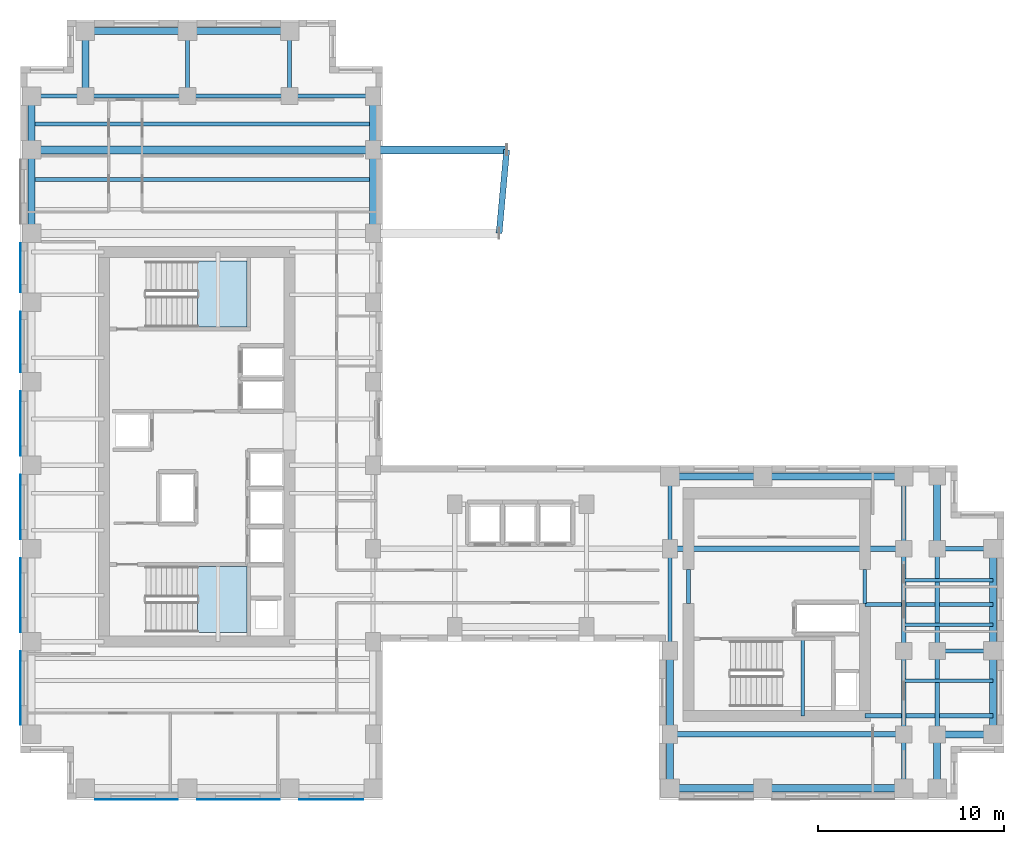
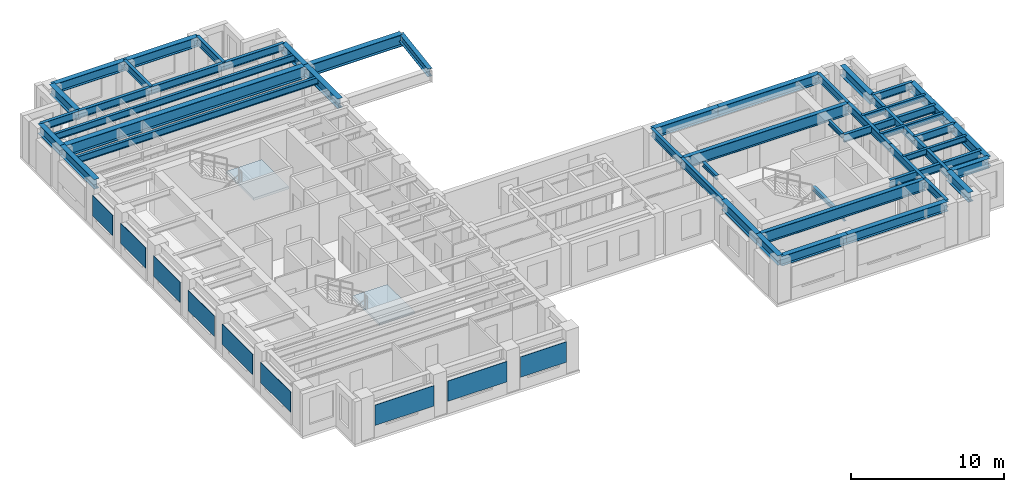
# One storey, part 3 of 14: 49 beams, 9 plates, 2 slabs, 2 elements without a shape of their own.
"""IFC4 building model written with IfcOpenShell, lengths in metres."""

from ifc_helpers import new_model, si_unit, direction, frame, origin, origin_2d, place, context, subcontext, project, spatial, polyline, rectangle, i_section, outline, extrude, source, transform, mapped, material, layer, layer_set, material_profile, profile_set, type_object, element, aggregate, save


model = new_model("IFC4")

# Units and contexts
model_context = context("Model", 3, precision=1e-05, world=origin(), true_north=direction((0.0, 1.0)))
body_context = subcontext(model_context, "Body", "Model", "MODEL_VIEW")
ifc_project = project(units=[si_unit("LENGTHUNIT", "METRE"), si_unit("AREAUNIT", "SQUARE_METRE"), si_unit("VOLUMEUNIT", "CUBIC_METRE"), si_unit("PLANEANGLEUNIT", "RADIAN"), si_unit("MASSUNIT", "GRAM", prefix="KILO")], contexts=[model_context])

# Site, building, storey
site_placement = place(None, origin())
site = spatial("IfcSite", under=ifc_project, at=site_placement, CompositionType="ELEMENT")
building_placement = place(site_placement, origin())
building = spatial("IfcBuilding", under=site, at=building_placement, Name="Kharzan Plaza Tower", CompositionType="ELEMENT")
storey_placement = place(building_placement, frame((0.0, 0.0, 168.300048828125)))
storey = spatial("IfcBuildingStorey", under=building, at=storey_placement, Name="L45", CompositionType="ELEMENT", Elevation=168.300048828125)

# Beams
ifc_material_1 = material(Name="Steel S355", Category="steel")
ifc_material_profile_1 = material_profile(ifc_material_1, i_section(OverallWidth=0.205078125, OverallDepth=0.35400390625, WebThickness=0.009521484375, FlangeThickness=0.016845703125, at=origin_2d()), Name="W360x79")
ifc_profile_set_1 = profile_set([ifc_material_profile_1], Name="Steel S355")
beam_type_1 = type_object("IfcBeamType", Name="BM-LNT360", PredefinedType="LINTEL", material=ifc_profile_set_1)
shared_shape_1 = source(origin(), body_context, "Body", "SweptSolid", [
    extrude(i_section(OverallWidth=0.205078125, OverallDepth=0.35400390625, WebThickness=0.009521484375, FlangeThickness=0.016845703125, at=origin_2d()), origin(), (0.0, 0.0, 1.0), 1.849853515625),
])
for number, where, z_axis, x_axis, name in (
    (1, (45.5, 10.550048828125, 3.222900390625), (0.0, 1.0, 0.0), (-1.0, 0.0, 0.0), "L45 CORE-B coupling lintel LN1-WE"),
    (2, (36.0, 10.550048828125, 3.222900390625), (0.0, 1.0, 0.0), (-1.0, 0.0, 0.0), "L45 CORE-B coupling lintel LN1-WW"),
):
    element("IfcBeam", number, at=place(storey_placement, frame(where, z_axis=z_axis, x_axis=x_axis)), inside=storey, type_object=beam_type_1, Name=name, PredefinedType="LINTEL", context=body_context, shape_type="MappedRepresentation", body=[
        mapped(shared_shape_1, transform((0.0, 0.0, 0.0), x_axis=(1.0, 0.0, 0.0), y_axis=(0.0, 1.0, 0.0), z_axis=(0.0, 0.0, 1.0))),
    ])
shared_shape_2 = source(origin(), body_context, "Body", "SweptSolid", [
    extrude(i_section(OverallWidth=0.205078125, OverallDepth=0.35400390625, WebThickness=0.009521484375, FlangeThickness=0.016845703125, at=origin_2d()), origin(), (0.0, 0.0, 1.0), 4.155029296875),
])
beam_1_placement = place(storey_placement, frame((42.14990234375, 4.5, 1.4228515625), z_axis=(0.0, 1.0, 0.0), x_axis=(-1.0, 0.0, 0.0)))
element("IfcBeam", 3, at=beam_1_placement, inside=storey, type_object=beam_type_1, Name="L45 Stair ST-3 Half-Landing Beam", PredefinedType="LINTEL", context=body_context, shape_type="MappedRepresentation", body=[
    mapped(shared_shape_2, transform((0.0, 0.0, 0.0), x_axis=(1.0, 0.0, 0.0), y_axis=(0.0, 1.0, 0.0), z_axis=(0.0, 0.0, 1.0))),
])
ifc_material_profile_2 = material_profile(ifc_material_1, i_section(OverallWidth=0.304931640625, OverallDepth=0.9189453125, WebThickness=0.017333984375, FlangeThickness=0.02783203125, at=origin_2d()), Name="W920x253")
ifc_profile_set_2 = profile_set([ifc_material_profile_2], Name="Steel S355")
beam_type_2 = type_object("IfcBeamType", Name="BM-FG920B", PredefinedType="BEAM", material=ifc_profile_set_2)
shared_shape_3 = source(origin(), body_context, "Body", "SweptSolid", [
    extrude(i_section(OverallWidth=0.304931640625, OverallDepth=0.9189453125, WebThickness=0.017333984375, FlangeThickness=0.02783203125, at=origin_2d()), origin(), (0.0, 0.0, 1.0), 12.60009765625),
])
for number, where, z_axis, x_axis, name in (
    (4, (35.0, 3.5, 2.9404296875), (1.0, 0.0, 0.0), (0.0, 1.0, 0.0), "L45 Primary Floor Girder"),
    (5, (35.0, 13.5, 2.9404296875), (1.0, 0.0, 0.0), (0.0, 1.0, 0.0), "L45 Primary Floor Girder"),
):
    element("IfcBeam", number, at=place(storey_placement, frame(where, z_axis=z_axis, x_axis=x_axis)), inside=storey, type_object=beam_type_2, Name=name, PredefinedType="BEAM", context=body_context, shape_type="MappedRepresentation", body=[
        mapped(shared_shape_3, transform((0.0, 0.0, 0.0), x_axis=(1.0, 0.0, 0.0), y_axis=(0.0, 1.0, 0.0), z_axis=(0.0, 0.0, 1.0))),
    ])
ifc_material_profile_3 = material_profile(ifc_material_1, i_section(OverallWidth=0.2099609375, OverallDepth=0.537109375, WebThickness=0.010986328125, FlangeThickness=0.017333984375, at=origin_2d()), Name="W530x101")
ifc_profile_set_3 = profile_set([ifc_material_profile_3], Name="Steel S355")
beam_type_3 = type_object("IfcBeamType", Name="BM-JST530B", PredefinedType="JOIST", material=ifc_profile_set_3)
shared_shape_4 = source(origin(), body_context, "Body", "SweptSolid", [
    extrude(i_section(OverallWidth=0.2099609375, OverallDepth=0.537109375, WebThickness=0.010986328125, FlangeThickness=0.017333984375, at=origin_2d()), origin(), (0.0, 0.0, 1.0), 18.39990234375),
])
for number, where, z_axis, x_axis, name in (
    (6, (0.60009765625, 33.39990234375, 3.13134765625), (1.0, 0.0, 0.0), (0.0, 1.0, 0.0), "L45 Wing A Composite Joist 05"),
    (7, (0.60009765625, 36.39990234375, 3.13134765625), (1.0, 0.0, 0.0), (0.0, 1.0, 0.0), "L45 Wing A Composite Joist 06"),
):
    element("IfcBeam", number, at=place(storey_placement, frame(where, z_axis=z_axis, x_axis=x_axis)), inside=storey, type_object=beam_type_3, Name=name, PredefinedType="JOIST", context=body_context, shape_type="MappedRepresentation", body=[
        mapped(shared_shape_4, transform((0.0, 0.0, 0.0), x_axis=(1.0, 0.0, 0.0), y_axis=(0.0, 1.0, 0.0), z_axis=(0.0, 0.0, 1.0))),
    ])
ifc_material_profile_4 = material_profile(ifc_material_1, i_section(OverallWidth=0.41796875, OverallDepth=0.93701171875, WebThickness=0.019287109375, FlangeThickness=0.031982421875, at=origin_2d()), Name="W920x342")
ifc_profile_set_4 = profile_set([ifc_material_profile_4], Name="Steel S355")
beam_type_4 = type_object("IfcBeamType", Name="BM-ZTB920", PredefinedType="BEAM", material=ifc_profile_set_4)
shared_shape_5 = source(origin(), body_context, "Body", "SweptSolid", [
    extrude(i_section(OverallWidth=0.41796875, OverallDepth=0.93701171875, WebThickness=0.019287109375, FlangeThickness=0.031982421875, at=origin_2d()), origin(), (0.0, 0.0, 1.0), 18.39990234375),
])
beam_2_placement = place(storey_placement, frame((0.60009765625, 35.0, 2.931396484375), z_axis=(1.0, 0.0, 0.0), x_axis=(0.0, 1.0, 0.0)))
element("IfcBeam", 8, at=beam_2_placement, inside=storey, type_object=beam_type_4, Name="L45 Sky-Terrace Back-Span Girder ZTB1 (L46 G2)", PredefinedType="BEAM", context=body_context, shape_type="MappedRepresentation", body=[
    mapped(shared_shape_5, transform((0.0, 0.0, 0.0), x_axis=(1.0, 0.0, 0.0), y_axis=(0.0, 1.0, 0.0), z_axis=(0.0, 0.0, 1.0))),
])
ifc_material_profile_5 = material_profile(ifc_material_1, i_section(OverallWidth=0.41796875, OverallDepth=0.93701171875, WebThickness=0.019287109375, FlangeThickness=0.031982421875, at=origin_2d()), Name="W920x342")
ifc_profile_set_5 = profile_set([ifc_material_profile_5], Name="Steel S355")
beam_type_5 = type_object("IfcBeamType", Name="BM-ZTG920", PredefinedType="BEAM", material=ifc_profile_set_5)
shared_shape_6 = source(origin(), body_context, "Body", "SweptSolid", [
    extrude(i_section(OverallWidth=0.41796875, OverallDepth=0.93701171875, WebThickness=0.019287109375, FlangeThickness=0.031982421875, at=origin_2d()), origin(), (0.0, 0.0, 1.0), 7.199951171875),
])
beam_3_placement = place(storey_placement, frame((19.0, 35.0, 2.91650390625), z_axis=(1.0, 0.0, 0.0), x_axis=(0.0, 1.0, 0.0)))
element("IfcBeam", 9, at=beam_3_placement, inside=storey, type_object=beam_type_5, Name="L45 Sky-Terrace Cantilever Girder ZTG1 (L46 G2)", PredefinedType="BEAM", context=body_context, shape_type="MappedRepresentation", body=[
    mapped(shared_shape_6, transform((0.0, 0.0, 0.0), x_axis=(1.0, 0.0, 0.0), y_axis=(0.0, 1.0, 0.0), z_axis=(0.0, 0.0, 1.0))),
])
ifc_material_profile_6 = material_profile(ifc_material_1, i_section(OverallWidth=0.324951171875, OverallDepth=0.615966796875, WebThickness=0.013916015625, FlangeThickness=0.021484375, at=origin_2d()), Name="W610x174")
ifc_profile_set_6 = profile_set([ifc_material_profile_6], Name="Steel S355")
beam_type_6 = type_object("IfcBeamType", Name="BM-ZTT610", PredefinedType="BEAM", material=ifc_profile_set_6)
shared_shape_7 = source(origin(), body_context, "Body", "SweptSolid", [
    extrude(i_section(OverallWidth=0.324951171875, OverallDepth=0.615966796875, WebThickness=0.013916015625, FlangeThickness=0.021484375, at=origin_2d()), origin(), (0.0, 0.0, 1.0), 4.5185546875),
])
beam_4_placement = place(storey_placement, frame((25.7900390625, 30.5, 3.076904296875), z_axis=(0.09071599143, 0.995876804077, 0.0), x_axis=(-0.995876804077, 0.09071599143, 0.0)))
element("IfcBeam", 10, at=beam_4_placement, inside=storey, type_object=beam_type_6, Name="L45 Sky-Terrace Edge Trimmer Beam ZTT1 (L46)", PredefinedType="BEAM", context=body_context, shape_type="MappedRepresentation", body=[
    mapped(shared_shape_7, transform((0.0, 0.0, 0.0), x_axis=(1.0, 0.0, 0.0), y_axis=(0.0, 1.0, 0.0), z_axis=(0.0, 0.0, 1.0))),
])
ifc_material_profile_7 = material_profile(ifc_material_1, i_section(OverallWidth=0.22900390625, OverallDepth=0.612060546875, WebThickness=0.011962890625, FlangeThickness=0.01953125, at=origin_2d()), Name="W610x125")
ifc_profile_set_7 = profile_set([ifc_material_profile_7], Name="Steel S355")
beam_type_7 = type_object("IfcBeamType", Name="BM-FG610B", PredefinedType="BEAM", material=ifc_profile_set_7)
shared_shape_8 = source(origin(), body_context, "Body", "SweptSolid", [
    extrude(i_section(OverallWidth=0.22900390625, OverallDepth=0.612060546875, WebThickness=0.011962890625, FlangeThickness=0.01953125, at=origin_2d()), origin(), (0.0, 0.0, 1.0), 4.5),
])
for number, where, z_axis, x_axis, name in (
    (11, (47.60009765625, 3.5, 3.093994140625), (0.0, 1.0, 0.0), (-1.0, 0.0, 0.0), "L45 Interior Frame Girder"),
    (12, (49.39990234375, 3.5, 3.093994140625), (0.0, 1.0, 0.0), (-1.0, 0.0, 0.0), "L45 Interior Frame Girder"),
    (13, (14.5, 37.89990234375, 3.093994140625), (1.0, 0.0, 0.0), (0.0, 1.0, 0.0), "L45 Primary Floor Girder"),
):
    element("IfcBeam", number, at=place(storey_placement, frame(where, z_axis=z_axis, x_axis=x_axis)), inside=storey, type_object=beam_type_7, Name=name, PredefinedType="BEAM", context=body_context, shape_type="MappedRepresentation", body=[
        mapped(shared_shape_8, transform((0.0, 0.0, 0.0), x_axis=(1.0, 0.0, 0.0), y_axis=(0.0, 1.0, 0.0), z_axis=(0.0, 0.0, 1.0))),
    ])
shared_shape_9 = source(origin(), body_context, "Body", "SweptSolid", [
    extrude(i_section(OverallWidth=0.22900390625, OverallDepth=0.612060546875, WebThickness=0.011962890625, FlangeThickness=0.01953125, at=origin_2d()), origin(), (0.0, 0.0, 1.0), 3.89990234375),
])
for number, where, z_axis, x_axis, name in (
    (14, (35.0, 13.5, 3.093994140625), (0.0, 1.0, 0.0), (-1.0, 0.0, 0.0), "L45 Interior Frame Girder"),
    (15, (47.60009765625, 13.5, 3.093994140625), (0.0, 1.0, 0.0), (-1.0, 0.0, 0.0), "L45 Interior Frame Girder"),
):
    element("IfcBeam", number, at=place(storey_placement, frame(where, z_axis=z_axis, x_axis=x_axis)), inside=storey, type_object=beam_type_7, Name=name, PredefinedType="BEAM", context=body_context, shape_type="MappedRepresentation", body=[
        mapped(shared_shape_9, transform((0.0, 0.0, 0.0), x_axis=(1.0, 0.0, 0.0), y_axis=(0.0, 1.0, 0.0), z_axis=(0.0, 0.0, 1.0))),
    ])
shared_shape_10 = source(origin(), body_context, "Body", "SweptSolid", [
    extrude(i_section(OverallWidth=0.22900390625, OverallDepth=0.612060546875, WebThickness=0.011962890625, FlangeThickness=0.01953125, at=origin_2d()), origin(), (0.0, 0.0, 1.0), 6.89990234375),
])
for number, where, z_axis, x_axis, name in (
    (16, (45.5, 4.5, 3.093994140625), (1.0, 0.0, 0.0), (0.0, 1.0, 0.0), "L45 Core-B East Floor Girder 1"),
    (17, (45.5, 10.5, 3.093994140625), (1.0, 0.0, 0.0), (0.0, 1.0, 0.0), "L45 Core-B East Floor Girder 2"),
):
    element("IfcBeam", number, at=place(storey_placement, frame(where, z_axis=z_axis, x_axis=x_axis)), inside=storey, type_object=beam_type_7, Name=name, PredefinedType="BEAM", context=body_context, shape_type="MappedRepresentation", body=[
        mapped(shared_shape_10, transform((0.0, 0.0, 0.0), x_axis=(1.0, 0.0, 0.0), y_axis=(0.0, 1.0, 0.0), z_axis=(0.0, 0.0, 1.0))),
    ])
shared_shape_11 = source(origin(), body_context, "Body", "SweptSolid", [
    extrude(i_section(OverallWidth=0.22900390625, OverallDepth=0.612060546875, WebThickness=0.011962890625, FlangeThickness=0.01953125, at=origin_2d()), origin(), (0.0, 0.0, 1.0), 3.5),
])
for number, where, z_axis, x_axis, name in (
    (18, (9.0, 37.89990234375, 3.093994140625), (0.0, 1.0, 0.0), (-1.0, 0.0, 0.0), "L45 Interior Frame Girder"),
    (19, (14.5, 37.89990234375, 3.093994140625), (0.0, 1.0, 0.0), (-1.0, 0.0, 0.0), "L45 Interior Frame Girder"),
):
    element("IfcBeam", number, at=place(storey_placement, frame(where, z_axis=z_axis, x_axis=x_axis)), inside=storey, type_object=beam_type_7, Name=name, PredefinedType="BEAM", context=body_context, shape_type="MappedRepresentation", body=[
        mapped(shared_shape_11, transform((0.0, 0.0, 0.0), x_axis=(1.0, 0.0, 0.0), y_axis=(0.0, 1.0, 0.0), z_axis=(0.0, 0.0, 1.0))),
    ])
shared_shape_12 = source(origin(), body_context, "Body", "SweptSolid", [
    extrude(i_section(OverallWidth=0.22900390625, OverallDepth=0.612060546875, WebThickness=0.011962890625, FlangeThickness=0.01953125, at=origin_2d()), origin(), (0.0, 0.0, 1.0), 5.5),
])
for number, where, z_axis, x_axis, name in (
    (20, (35.0, 8.0, 3.093994140625), (0.0, 1.0, 0.0), (-1.0, 0.0, 0.0), "L45 Interior Frame Girder"),
    (21, (47.60009765625, 8.0, 3.093994140625), (0.0, 1.0, 0.0), (-1.0, 0.0, 0.0), "L45 Interior Frame Girder"),
    (22, (49.39990234375, 8.0, 3.093994140625), (0.0, 1.0, 0.0), (-1.0, 0.0, 0.0), "L45 Interior Frame Girder"),
    (23, (3.5, 37.89990234375, 3.093994140625), (1.0, 0.0, 0.0), (0.0, 1.0, 0.0), "L45 Primary Floor Girder"),
    (24, (9.0, 37.89990234375, 3.093994140625), (1.0, 0.0, 0.0), (0.0, 1.0, 0.0), "L45 Primary Floor Girder"),
):
    element("IfcBeam", number, at=place(storey_placement, frame(where, z_axis=z_axis, x_axis=x_axis)), inside=storey, type_object=beam_type_7, Name=name, PredefinedType="BEAM", context=body_context, shape_type="MappedRepresentation", body=[
        mapped(shared_shape_12, transform((0.0, 0.0, 0.0), x_axis=(1.0, 0.0, 0.0), y_axis=(0.0, 1.0, 0.0), z_axis=(0.0, 0.0, 1.0))),
    ])
shared_shape_13 = source(origin(), body_context, "Body", "SweptSolid", [
    extrude(i_section(OverallWidth=0.22900390625, OverallDepth=0.612060546875, WebThickness=0.011962890625, FlangeThickness=0.01953125, at=origin_2d()), origin(), (0.0, 0.0, 1.0), 2.89990234375),
])
for number, where, z_axis, x_axis, name in (
    (25, (47.60009765625, 0.60009765625, 3.093994140625), (0.0, 1.0, 0.0), (-1.0, 0.0, 0.0), "L45 Interior Frame Girder"),
    (26, (0.60009765625, 37.89990234375, 3.093994140625), (1.0, 0.0, 0.0), (0.0, 1.0, 0.0), "L45 Primary Floor Girder"),
):
    element("IfcBeam", number, at=place(storey_placement, frame(where, z_axis=z_axis, x_axis=x_axis)), inside=storey, type_object=beam_type_7, Name=name, PredefinedType="BEAM", context=body_context, shape_type="MappedRepresentation", body=[
        mapped(shared_shape_13, transform((0.0, 0.0, 0.0), x_axis=(1.0, 0.0, 0.0), y_axis=(0.0, 1.0, 0.0), z_axis=(0.0, 0.0, 1.0))),
    ])
shared_shape_14 = source(origin(), body_context, "Body", "SweptSolid", [
    extrude(i_section(OverallWidth=0.22900390625, OverallDepth=0.612060546875, WebThickness=0.011962890625, FlangeThickness=0.01953125, at=origin_2d()), origin(), (0.0, 0.0, 1.0), 3.0),
])
for number, where, z_axis, x_axis, name in (
    (27, (49.39990234375, 8.0, 3.093994140625), (1.0, 0.0, 0.0), (0.0, 1.0, 0.0), "L45 Primary Floor Girder"),
    (28, (49.39990234375, 13.5, 3.093994140625), (1.0, 0.0, 0.0), (0.0, 1.0, 0.0), "L45 Primary Floor Girder"),
):
    element("IfcBeam", number, at=place(storey_placement, frame(where, z_axis=z_axis, x_axis=x_axis)), inside=storey, type_object=beam_type_7, Name=name, PredefinedType="BEAM", context=body_context, shape_type="MappedRepresentation", body=[
        mapped(shared_shape_14, transform((0.0, 0.0, 0.0), x_axis=(1.0, 0.0, 0.0), y_axis=(0.0, 1.0, 0.0), z_axis=(0.0, 0.0, 1.0))),
    ])
ifc_material_profile_8 = material_profile(ifc_material_1, i_section(OverallWidth=0.194091796875, OverallDepth=0.468994140625, WebThickness=0.011474609375, FlangeThickness=0.0205078125, at=origin_2d()), Name="W460x106")
ifc_profile_set_8 = profile_set([ifc_material_profile_8], Name="Steel S355")
beam_type_8 = type_object("IfcBeamType", Name="BM-JST460", PredefinedType="JOIST", material=ifc_profile_set_8)
shared_shape_15 = source(origin(), body_context, "Body", "SweptSolid", [
    extrude(i_section(OverallWidth=0.194091796875, OverallDepth=0.468994140625, WebThickness=0.011474609375, FlangeThickness=0.0205078125, at=origin_2d()), origin(), (0.0, 0.0, 1.0), 4.7998046875),
])
for number, where, z_axis, x_axis, name in (
    (29, (47.60009765625, 6.39990234375, 3.16552734375), (1.0, 0.0, 0.0), (0.0, 1.0, 0.0), "L45 Wing B Composite Joist 02"),
    (30, (47.60009765625, 9.39990234375, 3.16552734375), (1.0, 0.0, 0.0), (0.0, 1.0, 0.0), "L45 Wing B Composite Joist 03"),
    (31, (47.60009765625, 11.800048828125, 3.16552734375), (1.0, 0.0, 0.0), (0.0, 1.0, 0.0), "L45 Wing B Composite Joist 04"),
):
    element("IfcBeam", number, at=place(storey_placement, frame(where, z_axis=z_axis, x_axis=x_axis)), inside=storey, type_object=beam_type_8, Name=name, PredefinedType="JOIST", context=body_context, shape_type="MappedRepresentation", body=[
        mapped(shared_shape_15, transform((0.0, 0.0, 0.0), x_axis=(1.0, 0.0, 0.0), y_axis=(0.0, 1.0, 0.0), z_axis=(0.0, 0.0, 1.0))),
    ])
ifc_material_profile_9 = material_profile(ifc_material_1, i_section(OverallWidth=0.381103515625, OverallDepth=0.77294921875, WebThickness=0.0166015625, FlangeThickness=0.027587890625, at=origin_2d()), Name="W760x257")
ifc_profile_set_9 = profile_set([ifc_material_profile_9], Name="Steel S355")
beam_type_9 = type_object("IfcBeamType", Name="BM-SP760A", PredefinedType="SPANDREL", material=ifc_profile_set_9)
shared_shape_16 = source(origin(), body_context, "Body", "SweptSolid", [
    extrude(i_section(OverallWidth=0.381103515625, OverallDepth=0.77294921875, WebThickness=0.0166015625, FlangeThickness=0.027587890625, at=origin_2d()), origin(), (0.0, 0.0, 1.0), 5.0),
])
for number, where, z_axis, x_axis, name in (
    (32, (35.0, 0.60009765625, 3.013427734375), (1.0, 0.0, 0.0), (0.0, 1.0, 0.0), "L45 Perimeter Tube Spandrel"),
    (33, (35.0, 17.39990234375, 3.013427734375), (1.0, 0.0, 0.0), (0.0, 1.0, 0.0), "L45 Perimeter Tube Spandrel"),
):
    element("IfcBeam", number, at=place(storey_placement, frame(where, z_axis=z_axis, x_axis=x_axis)), inside=storey, type_object=beam_type_9, Name=name, PredefinedType="SPANDREL", context=body_context, shape_type="MappedRepresentation", body=[
        mapped(shared_shape_16, transform((0.0, 0.0, 0.0), x_axis=(1.0, 0.0, 0.0), y_axis=(0.0, 1.0, 0.0), z_axis=(0.0, 0.0, 1.0))),
    ])
shared_shape_17 = source(origin(), body_context, "Body", "SweptSolid", [
    extrude(i_section(OverallWidth=0.381103515625, OverallDepth=0.77294921875, WebThickness=0.0166015625, FlangeThickness=0.027587890625, at=origin_2d()), origin(), (0.0, 0.0, 1.0), 4.5),
])
for number, where, z_axis, x_axis, name in (
    (34, (0.60009765625, 30.5, 3.013427734375), (0.0, 1.0, 0.0), (-1.0, 0.0, 0.0), "L45 Perimeter Tube Spandrel"),
    (35, (19.0, 30.5, 3.013427734375), (0.0, 1.0, 0.0), (-1.0, 0.0, 0.0), "L45 Perimeter Tube Spandrel"),
    (36, (35.0, 3.5, 3.013427734375), (0.0, 1.0, 0.0), (-1.0, 0.0, 0.0), "L45 Perimeter Tube Spandrel"),
    (37, (52.39990234375, 3.5, 3.013427734375), (0.0, 1.0, 0.0), (-1.0, 0.0, 0.0), "L45 Perimeter Tube Spandrel"),
):
    element("IfcBeam", number, at=place(storey_placement, frame(where, z_axis=z_axis, x_axis=x_axis)), inside=storey, type_object=beam_type_9, Name=name, PredefinedType="SPANDREL", context=body_context, shape_type="MappedRepresentation", body=[
        mapped(shared_shape_17, transform((0.0, 0.0, 0.0), x_axis=(1.0, 0.0, 0.0), y_axis=(0.0, 1.0, 0.0), z_axis=(0.0, 0.0, 1.0))),
    ])
shared_shape_18 = source(origin(), body_context, "Body", "SweptSolid", [
    extrude(i_section(OverallWidth=0.381103515625, OverallDepth=0.77294921875, WebThickness=0.0166015625, FlangeThickness=0.027587890625, at=origin_2d()), origin(), (0.0, 0.0, 1.0), 2.89990234375),
])
for number, where, z_axis, x_axis, name in (
    (38, (0.60009765625, 35.0, 3.013427734375), (0.0, 1.0, 0.0), (-1.0, 0.0, 0.0), "L45 Perimeter Tube Spandrel"),
    (39, (19.0, 35.0, 3.013427734375), (0.0, 1.0, 0.0), (-1.0, 0.0, 0.0), "L45 Perimeter Tube Spandrel"),
    (40, (35.0, 0.60009765625, 3.013427734375), (0.0, 1.0, 0.0), (-1.0, 0.0, 0.0), "L45 Perimeter Tube Spandrel"),
    (41, (49.39990234375, 0.60009765625, 3.013427734375), (0.0, 1.0, 0.0), (-1.0, 0.0, 0.0), "L45 Perimeter Tube Spandrel"),
):
    element("IfcBeam", number, at=place(storey_placement, frame(where, z_axis=z_axis, x_axis=x_axis)), inside=storey, type_object=beam_type_9, Name=name, PredefinedType="SPANDREL", context=body_context, shape_type="MappedRepresentation", body=[
        mapped(shared_shape_18, transform((0.0, 0.0, 0.0), x_axis=(1.0, 0.0, 0.0), y_axis=(0.0, 1.0, 0.0), z_axis=(0.0, 0.0, 1.0))),
    ])
shared_shape_19 = source(origin(), body_context, "Body", "SweptSolid", [
    extrude(i_section(OverallWidth=0.381103515625, OverallDepth=0.77294921875, WebThickness=0.0166015625, FlangeThickness=0.027587890625, at=origin_2d()), origin(), (0.0, 0.0, 1.0), 3.5),
])
beam_5_placement = place(storey_placement, frame((3.5, 37.89990234375, 3.013427734375), z_axis=(0.0, 1.0, 0.0), x_axis=(-1.0, 0.0, 0.0)))
element("IfcBeam", 42, at=beam_5_placement, inside=storey, type_object=beam_type_9, Name="L45 Perimeter Tube Spandrel", PredefinedType="SPANDREL", context=body_context, shape_type="MappedRepresentation", body=[
    mapped(shared_shape_19, transform((0.0, 0.0, 0.0), x_axis=(1.0, 0.0, 0.0), y_axis=(0.0, 1.0, 0.0), z_axis=(0.0, 0.0, 1.0))),
])
shared_shape_20 = source(origin(), body_context, "Body", "SweptSolid", [
    extrude(i_section(OverallWidth=0.381103515625, OverallDepth=0.77294921875, WebThickness=0.0166015625, FlangeThickness=0.027587890625, at=origin_2d()), origin(), (0.0, 0.0, 1.0), 3.89990234375),
])
beam_6_placement = place(storey_placement, frame((49.39990234375, 13.5, 3.013427734375), z_axis=(0.0, 1.0, 0.0), x_axis=(-1.0, 0.0, 0.0)))
element("IfcBeam", 43, at=beam_6_placement, inside=storey, type_object=beam_type_9, Name="L45 Perimeter Tube Spandrel", PredefinedType="SPANDREL", context=body_context, shape_type="MappedRepresentation", body=[
    mapped(shared_shape_20, transform((0.0, 0.0, 0.0), x_axis=(1.0, 0.0, 0.0), y_axis=(0.0, 1.0, 0.0), z_axis=(0.0, 0.0, 1.0))),
])
shared_shape_21 = source(origin(), body_context, "Body", "SweptSolid", [
    extrude(i_section(OverallWidth=0.381103515625, OverallDepth=0.77294921875, WebThickness=0.0166015625, FlangeThickness=0.027587890625, at=origin_2d()), origin(), (0.0, 0.0, 1.0), 5.5),
])
for number, where, z_axis, x_axis, name in (
    (44, (52.39990234375, 8.0, 3.013427734375), (0.0, 1.0, 0.0), (-1.0, 0.0, 0.0), "L45 Perimeter Tube Spandrel"),
    (45, (3.5, 41.39990234375, 3.013427734375), (1.0, 0.0, 0.0), (0.0, 1.0, 0.0), "L45 Perimeter Tube Spandrel"),
    (46, (9.0, 41.39990234375, 3.013427734375), (1.0, 0.0, 0.0), (0.0, 1.0, 0.0), "L45 Perimeter Tube Spandrel"),
):
    element("IfcBeam", number, at=place(storey_placement, frame(where, z_axis=z_axis, x_axis=x_axis)), inside=storey, type_object=beam_type_9, Name=name, PredefinedType="SPANDREL", context=body_context, shape_type="MappedRepresentation", body=[
        mapped(shared_shape_21, transform((0.0, 0.0, 0.0), x_axis=(1.0, 0.0, 0.0), y_axis=(0.0, 1.0, 0.0), z_axis=(0.0, 0.0, 1.0))),
    ])
shared_shape_22 = source(origin(), body_context, "Body", "SweptSolid", [
    extrude(i_section(OverallWidth=0.381103515625, OverallDepth=0.77294921875, WebThickness=0.0166015625, FlangeThickness=0.027587890625, at=origin_2d()), origin(), (0.0, 0.0, 1.0), 7.60009765625),
])
for number, where, z_axis, x_axis, name in (
    (47, (40.0, 0.60009765625, 3.013427734375), (1.0, 0.0, 0.0), (0.0, 1.0, 0.0), "L45 Perimeter Tube Spandrel"),
    (48, (40.0, 17.39990234375, 3.013427734375), (1.0, 0.0, 0.0), (0.0, 1.0, 0.0), "L45 Perimeter Tube Spandrel"),
):
    element("IfcBeam", number, at=place(storey_placement, frame(where, z_axis=z_axis, x_axis=x_axis)), inside=storey, type_object=beam_type_9, Name=name, PredefinedType="SPANDREL", context=body_context, shape_type="MappedRepresentation", body=[
        mapped(shared_shape_22, transform((0.0, 0.0, 0.0), x_axis=(1.0, 0.0, 0.0), y_axis=(0.0, 1.0, 0.0), z_axis=(0.0, 0.0, 1.0))),
    ])
shared_shape_23 = source(origin(), body_context, "Body", "SweptSolid", [
    extrude(i_section(OverallWidth=0.381103515625, OverallDepth=0.77294921875, WebThickness=0.0166015625, FlangeThickness=0.027587890625, at=origin_2d()), origin(), (0.0, 0.0, 1.0), 3.0),
])
beam_7_placement = place(storey_placement, frame((49.39990234375, 3.5, 3.013427734375), z_axis=(1.0, 0.0, 0.0), x_axis=(0.0, 1.0, 0.0)))
element("IfcBeam", 49, at=beam_7_placement, inside=storey, type_object=beam_type_9, Name="L45 Perimeter Tube Spandrel", PredefinedType="SPANDREL", context=body_context, shape_type="MappedRepresentation", body=[
    mapped(shared_shape_23, transform((0.0, 0.0, 0.0), x_axis=(1.0, 0.0, 0.0), y_axis=(0.0, 1.0, 0.0), z_axis=(0.0, 0.0, 1.0))),
])

# Stair, slab
ifc_material_2 = material(Name="Concrete C40/50", Category="concrete")
stair_type_1 = type_object("IfcStairType", Name="STR-ST-1", PredefinedType="HALF_TURN_STAIR", material=ifc_material_2)
stair_1_placement = place(storey_placement, origin())
stair_1 = element("IfcStair", 50, at=stair_1_placement, inside=storey, type_object=stair_type_1, Name="L45 Protected Exit Stair ST-1", PredefinedType="HALF_TURN_STAIR")
ifc_layer_1 = layer(ifc_material_2, 0.219970703125)
ifc_layer_set_1 = layer_set([ifc_layer_1], Name="Concrete C40/50")
slab_type = type_object("IfcSlabType", Name="SL-LANDING-220", PredefinedType="LANDING", material=ifc_layer_set_1)
slab_1_placement = place(storey_placement, frame((0.0, 0.0, 1.599853515625)))
slab_1 = element("IfcSlab", 51, at=slab_1_placement, type_object=slab_type, Name="ST-1 landing 1", PredefinedType="LANDING", context=body_context, shape_type="SweptSolid", body=[
    extrude(outline(polyline([(9.550048828125, 9.0), (12.199951171875, 9.0), (12.199951171875, 12.550048828125), (9.550048828125, 12.550048828125), (9.550048828125, 9.0)])), origin(), (0.0, 0.0, 1.0), 0.2001953125),
])
aggregate(stair_1, [slab_1])

stair_type_2 = type_object("IfcStairType", Name="STR-ST-2", PredefinedType="HALF_TURN_STAIR", material=ifc_material_2)
stair_2_placement = place(storey_placement, origin())
stair_2 = element("IfcStair", 52, at=stair_2_placement, inside=storey, type_object=stair_type_2, Name="L45 Protected Exit Stair ST-2", PredefinedType="HALF_TURN_STAIR")
slab_2_placement = place(storey_placement, frame((0.0, 0.0, 1.599853515625)))
slab_2 = element("IfcSlab", 53, at=slab_2_placement, type_object=slab_type, Name="ST-2 landing 1", PredefinedType="LANDING", context=body_context, shape_type="SweptSolid", body=[
    extrude(outline(polyline([(9.550048828125, 25.449951171875), (12.199951171875, 25.449951171875), (12.199951171875, 29.0), (9.550048828125, 29.0), (9.550048828125, 25.449951171875)])), origin(), (0.0, 0.0, 1.0), 0.2001953125),
])
aggregate(stair_2, [slab_2])

# Plates
ifc_material_3 = material(Name="Perforated Bronze-Anodized Aluminium", Category="aluminium")
ifc_layer_2 = layer(ifc_material_3, 0.030029296875)
ifc_layer_set_2 = layer_set([ifc_layer_2], Name="Perforated Bronze-Anodized Aluminium")
plate_type = type_object("IfcPlateType", Name="PLT-MASH-SCREEN", PredefinedType="SHEET", material=ifc_layer_set_2)
shared_shape_24 = source(origin(), body_context, "Body", "SweptSolid", [
    extrude(rectangle(XDim=3.464111328125, YDim=0.030029296875, at=origin_2d()), origin(), (0.0, 0.0, 1.0), 1.632080078125),
])
for number, where, z_axis, x_axis, name in (
    (54, (-0.012939453125, 20.25, 1.013671875), (0.0, 0.0, 1.0), (0.0, -1.0, 0.0), "L45 Perforated Mashrabiya Solar Screen"),
    (55, (-0.012939453125, 15.75, 1.013671875), (0.0, 0.0, 1.0), (0.0, -1.0, 0.0), "L45 Perforated Mashrabiya Solar Screen"),
    (56, (16.75, -0.012939453125, 1.013671875), (0.0, 0.0, 1.0), (1.0, 0.0, 0.0), "L45 Perforated Mashrabiya Solar Screen"),
):
    element("IfcPlate", number, at=place(storey_placement, frame(where, z_axis=z_axis, x_axis=x_axis)), inside=storey, type_object=plate_type, Name=name, PredefinedType="SHEET", context=body_context, shape_type="MappedRepresentation", body=[
        mapped(shared_shape_24, transform((0.0, 0.0, 0.0), x_axis=(1.0, 0.0, 0.0), y_axis=(0.0, 1.0, 0.0), z_axis=(0.0, 0.0, 1.0))),
    ])
shared_shape_25 = source(origin(), body_context, "Body", "SweptSolid", [
    extrude(rectangle(XDim=2.6640625, YDim=0.030029296875, at=origin_2d()), origin(), (0.0, 0.0, 1.0), 1.632080078125),
])
plate_1_placement = place(storey_placement, frame((-0.012939453125, 28.64990234375, 1.013671875), z_axis=(0.0, 0.0, 1.0), x_axis=(0.0, -1.0, 0.0)))
element("IfcPlate", 57, at=plate_1_placement, inside=storey, type_object=plate_type, Name="L45 Perforated Mashrabiya Solar Screen", PredefinedType="SHEET", context=body_context, shape_type="MappedRepresentation", body=[
    mapped(shared_shape_25, transform((0.0, 0.0, 0.0), x_axis=(1.0, 0.0, 0.0), y_axis=(0.0, 1.0, 0.0), z_axis=(0.0, 0.0, 1.0))),
])
shared_shape_26 = source(origin(), body_context, "Body", "SweptSolid", [
    extrude(rectangle(XDim=3.263916015625, YDim=0.030029296875, at=origin_2d()), origin(), (0.0, 0.0, 1.0), 1.632080078125),
])
plate_2_placement = place(storey_placement, frame((-0.012939453125, 24.64990234375, 1.013671875), z_axis=(0.0, 0.0, 1.0), x_axis=(0.0, -1.0, 0.0)))
element("IfcPlate", 58, at=plate_2_placement, inside=storey, type_object=plate_type, Name="L45 Perforated Mashrabiya Solar Screen", PredefinedType="SHEET", context=body_context, shape_type="MappedRepresentation", body=[
    mapped(shared_shape_26, transform((0.0, 0.0, 0.0), x_axis=(1.0, 0.0, 0.0), y_axis=(0.0, 1.0, 0.0), z_axis=(0.0, 0.0, 1.0))),
])
shared_shape_27 = source(origin(), body_context, "Body", "SweptSolid", [
    extrude(rectangle(XDim=3.964111328125, YDim=0.030029296875, at=origin_2d()), origin(), (0.0, 0.0, 1.0), 1.632080078125),
])
for number, where, z_axis, x_axis, name in (
    (59, (-0.012939453125, 11.0, 1.013671875), (0.0, 0.0, 1.0), (0.0, -1.0, 0.0), "L45 Perforated Mashrabiya Solar Screen"),
    (60, (-0.012939453125, 6.0, 1.013671875), (0.0, 0.0, 1.0), (0.0, -1.0, 0.0), "L45 Perforated Mashrabiya Solar Screen"),
):
    element("IfcPlate", number, at=place(storey_placement, frame(where, z_axis=z_axis, x_axis=x_axis)), inside=storey, type_object=plate_type, Name=name, PredefinedType="SHEET", context=body_context, shape_type="MappedRepresentation", body=[
        mapped(shared_shape_27, transform((0.0, 0.0, 0.0), x_axis=(1.0, 0.0, 0.0), y_axis=(0.0, 1.0, 0.0), z_axis=(0.0, 0.0, 1.0))),
    ])
shared_shape_28 = source(origin(), body_context, "Body", "SweptSolid", [
    extrude(rectangle(XDim=4.464111328125, YDim=0.030029296875, at=origin_2d()), origin(), (0.0, 0.0, 1.0), 1.632080078125),
])
for number, where, z_axis, x_axis, name in (
    (61, (6.25, -0.012939453125, 1.013671875), (0.0, 0.0, 1.0), (1.0, 0.0, 0.0), "L45 Perforated Mashrabiya Solar Screen"),
    (62, (11.75, -0.012939453125, 1.013671875), (0.0, 0.0, 1.0), (1.0, 0.0, 0.0), "L45 Perforated Mashrabiya Solar Screen"),
):
    element("IfcPlate", number, at=place(storey_placement, frame(where, z_axis=z_axis, x_axis=x_axis)), inside=storey, type_object=plate_type, Name=name, PredefinedType="SHEET", context=body_context, shape_type="MappedRepresentation", body=[
        mapped(shared_shape_28, transform((0.0, 0.0, 0.0), x_axis=(1.0, 0.0, 0.0), y_axis=(0.0, 1.0, 0.0), z_axis=(0.0, 0.0, 1.0))),
    ])

save(model, "model.ifc")
